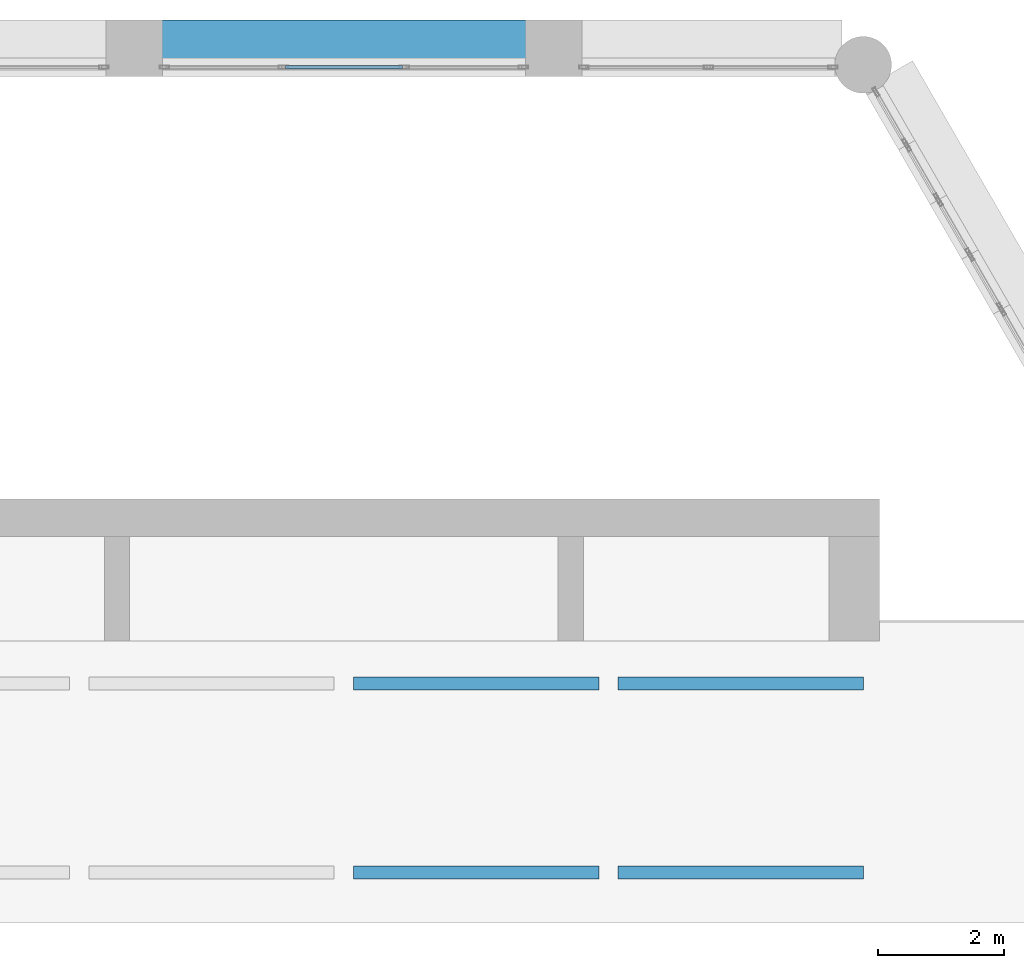
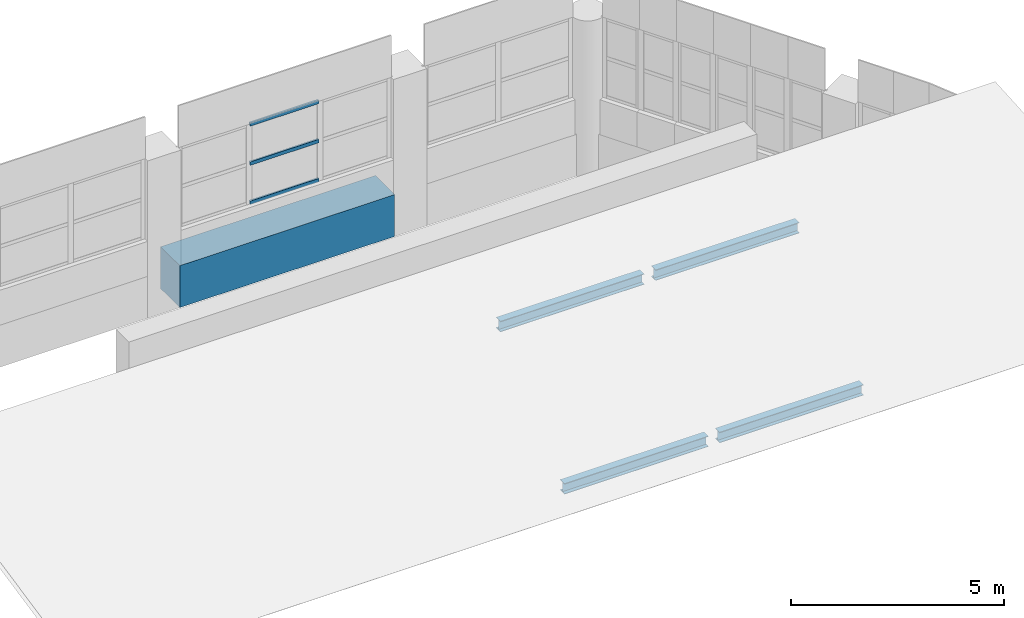
# One storey, part 5 of 11: 7 members, 1 beam, 1 element without a shape of its own.
"""IFC4 building model written with IfcOpenShell, lengths in metres."""

from ifc_helpers import new_model, si_unit, direction, frame, origin, origin_2d, place, context, subcontext, project, spatial, rectangle, hollow_rectangle, i_section, extrude, material, material_profile, profile_set, type_object, element, aggregate, save


model = new_model("IFC4")

# Units and contexts
model_context = context("Model", 3, precision=1e-05, world=origin(), true_north=direction((0.0, 1.0)))
body_context = subcontext(model_context, "Body", "Model", "MODEL_VIEW")
ifc_project = project(units=[si_unit("LENGTHUNIT", "METRE"), si_unit("AREAUNIT", "SQUARE_METRE"), si_unit("VOLUMEUNIT", "CUBIC_METRE"), si_unit("PLANEANGLEUNIT", "RADIAN"), si_unit("MASSUNIT", "GRAM", prefix="KILO")], contexts=[model_context])

# Site, building, storey
site_placement = place(None, origin())
site = spatial("IfcSite", under=ifc_project, at=site_placement, CompositionType="ELEMENT")
building_placement = place(site_placement, origin())
building = spatial("IfcBuilding", under=site, at=building_placement, Name="Ostrander Bayou Hotel Tower", CompositionType="ELEMENT")
storey_placement = place(building_placement, frame((0.0, 0.0, 293.0)))
storey = spatial("IfcBuildingStorey", under=building, at=storey_placement, Name="Roof 72", CompositionType="ELEMENT", Elevation=293.0)

# Members
ifc_material_1 = material(Name="Steel ASTM A992", Category="steel")
ifc_material_profile_1 = material_profile(ifc_material_1, i_section(OverallWidth=0.203369140625, OverallDepth=0.30322265625, WebThickness=0.007568359375, FlangeThickness=0.01318359375, at=origin_2d()))
ifc_profile_set_1 = profile_set([ifc_material_profile_1], Name="Steel ASTM A992")
member_type_1 = type_object("IfcMemberType", Name="CP3 crown purlin W12x40", PredefinedType="PURLIN", material=ifc_profile_set_1)
for number, where, z_axis, x_axis, name in (
    (1, (0.15380859375, 3.76708984375, 0.25830078125), (1.0, 0.0, 0.0), (0.0, 1.0, 0.0), "CP3 P3-29"),
    (2, (0.15380859375, 6.76708984375, 3.083984375), (1.0, 0.0, 0.0), (0.0, 1.0, 0.0), "CP3 P3-30"),
):
    element("IfcMember", number, at=place(storey_placement, frame(where, z_axis=z_axis, x_axis=x_axis)), inside=storey, type_object=member_type_1, Name=name, PredefinedType="PURLIN", context=body_context, shape_type="SweptSolid", body=[
        extrude(i_section(OverallWidth=0.203369140625, OverallDepth=0.30322265625, WebThickness=0.007568359375, FlangeThickness=0.01318359375, at=origin_2d()), origin(), (0.0, 0.0, 1.0), 3.892333984375),
    ])
for number, where, z_axis, x_axis, name in (
    (3, (4.35400390625, 3.76708984375, 0.25830078125), (1.0, 0.0, 0.0), (0.0, 1.0, 0.0), "CP3 P4-40"),
    (4, (4.35400390625, 6.76708984375, 3.083984375), (1.0, 0.0, 0.0), (0.0, 1.0, 0.0), "CP3 P4-41"),
):
    element("IfcMember", number, at=place(storey_placement, frame(where, z_axis=z_axis, x_axis=x_axis)), inside=storey, type_object=member_type_1, Name=name, PredefinedType="PURLIN", context=body_context, shape_type="SweptSolid", body=[
        extrude(i_section(OverallWidth=0.203369140625, OverallDepth=0.30322265625, WebThickness=0.007568359375, FlangeThickness=0.01318359375, at=origin_2d()), origin(), (0.0, 0.0, 1.0), 3.89208984375),
    ])

# Curtain wall, members
ifc_material_2 = material(Name="Aluminium and clear glass", Category="aluminium")
curtain_wall_type = type_object("IfcCurtainWallType", Name="CW-CROWN glazed wall", PredefinedType="NOTDEFINED", material=ifc_material_2)
curtain_wall_placement = place(storey_placement, origin())
curtain_wall = element("IfcCurtainWall", 5, at=curtain_wall_placement, inside=storey, type_object=curtain_wall_type, Name="CW-CROWN L72:N-2", PredefinedType="NOTDEFINED")
ifc_material_3 = material(Name="Aluminium", Category="aluminium")
ifc_material_profile_2 = material_profile(ifc_material_3, hollow_rectangle(XDim=0.050048828125, YDim=0.10009765625, WallThickness=0.00390625, at=origin_2d()))
ifc_profile_set_2 = profile_set([ifc_material_profile_2], Name="Aluminium")
member_type_2 = type_object("IfcMemberType", Name="CW-CR transom 50 x 100 mm", PredefinedType="USERDEFINED", material=ifc_profile_set_2)
member_1_placement = place(storey_placement, frame((0.9296875, 16.550048828125, 1.030029296875), z_axis=(-1.0, 0.0, 0.0), x_axis=(0.0, -1.0, 0.0)))
member_1 = element("IfcMember", 6, at=member_1_placement, type_object=member_type_2, Name="CW-CROWN transom 2.1", ObjectType="TRANSOM", PredefinedType="USERDEFINED", context=body_context, shape_type="SweptSolid", body=[
    extrude(hollow_rectangle(XDim=0.050048828125, YDim=0.10009765625, WallThickness=0.00390625, at=origin_2d()), origin(), (0.0, 0.0, 1.0), 1.859375),
])
member_2_placement = place(storey_placement, frame((0.9296875, 16.550048828125, 2.14990234375), z_axis=(-1.0, 0.0, 0.0), x_axis=(0.0, -1.0, 0.0)))
member_2 = element("IfcMember", 7, at=member_2_placement, type_object=member_type_2, Name="CW-CROWN transom 2.2", ObjectType="TRANSOM", PredefinedType="USERDEFINED", context=body_context, shape_type="SweptSolid", body=[
    extrude(hollow_rectangle(XDim=0.050048828125, YDim=0.10009765625, WallThickness=0.00390625, at=origin_2d()), origin(), (0.0, 0.0, 1.0), 1.859375),
])
member_3_placement = place(storey_placement, frame((0.9296875, 16.550048828125, 3.27001953125), z_axis=(-1.0, 0.0, 0.0), x_axis=(0.0, -1.0, 0.0)))
member_3 = element("IfcMember", 8, at=member_3_placement, type_object=member_type_2, Name="CW-CROWN transom 2.3", ObjectType="TRANSOM", PredefinedType="USERDEFINED", context=body_context, shape_type="SweptSolid", body=[
    extrude(hollow_rectangle(XDim=0.050048828125, YDim=0.10009765625, WallThickness=0.00390625, at=origin_2d()), origin(), (0.0, 0.0, 1.0), 1.859375),
])
aggregate(curtain_wall, [member_1, member_2, member_3])

# Beam
ifc_material_4 = material(Name="Concrete f'c 60 MPa", Category="concrete")
ifc_material_profile_3 = material_profile(ifc_material_4, rectangle(XDim=0.89990234375, YDim=1.199951171875, at=origin_2d()))
ifc_profile_set_3 = profile_set([ifc_material_profile_3], Name="Concrete f'c 60 MPa")
beam_type = type_object("IfcBeamType", Name="SP4 spandrel beam 900 x 1200 mm f'c 60 MPa", PredefinedType="SPANDREL", material=ifc_profile_set_3)
beam_placement = place(storey_placement, frame((2.909423828125, 16.85009765625, -0.60009765625), z_axis=(-1.0, 0.0, 0.0), x_axis=(0.0, -1.0, 0.0)))
element("IfcBeam", 9, at=beam_placement, inside=storey, type_object=beam_type, Name="SP4 L72 N-2", PredefinedType="SPANDREL", context=body_context, shape_type="SweptSolid", body=[
    extrude(rectangle(XDim=0.89990234375, YDim=1.199951171875, at=origin_2d()), origin(), (0.0, 0.0, 1.0), 5.81884765625),
])

save(model, "model.ifc")
